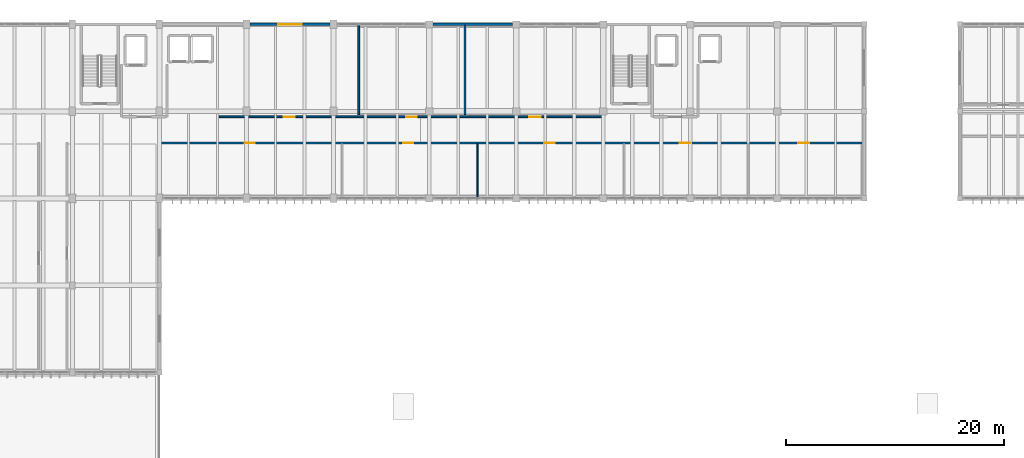
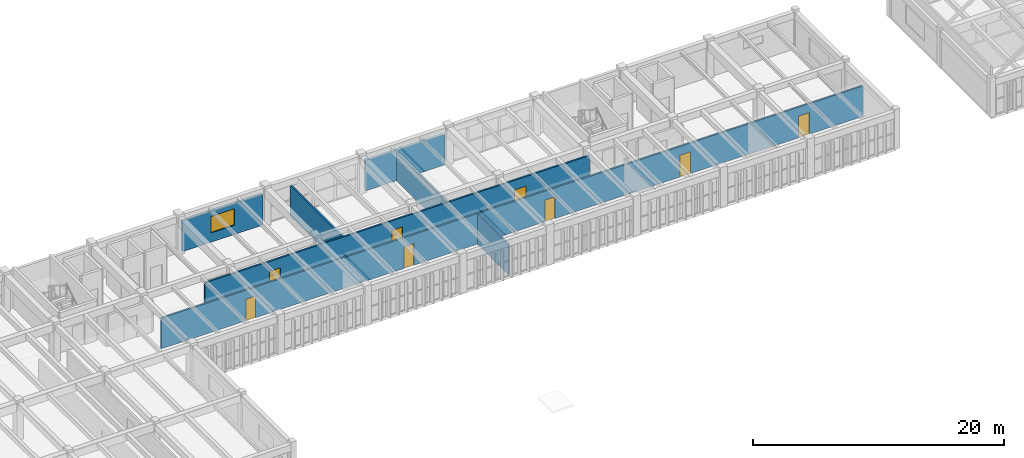
# One storey, part 20 of 31: 8 doors, 7 walls, 1 window, 9 openings.
"""IFC4 building model written with IfcOpenShell, lengths in metres."""

from ifc_helpers import new_model, si_unit, direction, frame, frame_2d, origin, place, context, subcontext, project, spatial, rectangle, extrude, material, layer, layer_set, type_object, element, fill, save


model = new_model("IFC4")

# Units and contexts
model_context = context("Model", 3, precision=1e-05, world=origin(), true_north=direction((0.0, 1.0)))
body_context = subcontext(model_context, "Body", "Model", "MODEL_VIEW")
ifc_project = project(units=[si_unit("LENGTHUNIT", "METRE"), si_unit("AREAUNIT", "SQUARE_METRE"), si_unit("VOLUMEUNIT", "CUBIC_METRE"), si_unit("PLANEANGLEUNIT", "RADIAN"), si_unit("MASSUNIT", "GRAM", prefix="KILO")], contexts=[model_context])

# Site, building, storey
site_placement = place(None, origin())
site = spatial("IfcSite", under=ifc_project, at=site_placement, CompositionType="ELEMENT")
building_placement = place(site_placement, origin())
building = spatial("IfcBuilding", under=site, at=building_placement, Name="Tlaxcora Railside Police Headquarters", CompositionType="ELEMENT")
storey_placement = place(building_placement, frame((0.0, 0.0, 18.0)))
storey = spatial("IfcBuildingStorey", under=building, at=storey_placement, Name="L04", CompositionType="ELEMENT", Elevation=18.0)

# Wall
ifc_material_1 = material(Name="Gypsum acoustic partition board")
ifc_layer_1 = layer(ifc_material_1, 0.1298828125, Name="Gypsum acoustic partition board")
ifc_layer_set_1 = layer_set([ifc_layer_1], Name="Gypsum acoustic partition board")
wall_type_1 = type_object("IfcWallType", Name="Interior Partition Wall IW-40", PredefinedType="PARTITIONING", material=ifc_layer_set_1)
wall_1_placement = place(storey_placement, frame((58.43896484375, 76.8798828125, 0.0), z_axis=(0.0, 0.0, 1.0), x_axis=(0.0, 1.0, 0.0)))
element("IfcWall", 1, at=wall_1_placement, inside=storey, type_object=wall_type_1, Name="V5 L04 interior partition 212", PredefinedType="PARTITIONING", context=body_context, shape_type="SweptSolid", body=[
    extrude(rectangle(XDim=4.920166015625, YDim=0.1298828125, at=frame_2d((2.4599609375, 0.0))), origin(), (0.0, 0.0, 1.0), 2.97509765625),
])

# Wall, openings, doors
ifc_layer_2 = layer(ifc_material_1, 0.159912109375, Name="Gypsum acoustic partition board")
ifc_layer_set_2 = layer_set([ifc_layer_2], Name="Gypsum acoustic partition board")
wall_type_2 = type_object("IfcWallType", Name="Interior Partition Wall IW-73", PredefinedType="PARTITIONING", material=ifc_layer_set_2)
wall_2_placement = place(storey_placement, frame((29.300048828125, 81.89990234375, 0.0), z_axis=(0.0, 0.0, 1.0), x_axis=(1.0, 0.0, 0.0)))
wall_2 = element("IfcWall", 2, at=wall_2_placement, inside=storey, type_object=wall_type_2, Name="V5 L04 interior partition 215", PredefinedType="PARTITIONING", context=body_context, shape_type="SweptSolid", body=[
    extrude(rectangle(XDim=64.619873046875, YDim=0.159912109375, at=frame_2d((32.31005859375, 0.0))), origin(), (0.0, 0.0, 1.0), 2.97509765625),
])
opening_1_placement = place(wall_2_placement, frame((7.760009765625, 0.0, 0.0)))
opening_1 = element("IfcOpeningElement", 3, at=opening_1_placement, cuts=wall_2, Name="Opening D-L04-235", PredefinedType="OPENING", context=body_context, shape_type="SweptSolid", body=[
    extrude(rectangle(XDim=0.89990234375, YDim=2.10009765625, at=frame_2d((0.449951171875, 1.050048828125))), frame((0.0, 0.08984375, 0.0), z_axis=(0.0, -1.0, 0.0), x_axis=(1.0, 0.0, 0.0)), (0.0, 0.0, 1.0), 0.179931640625),
])
opening_2_placement = place(wall_2_placement, frame((22.320068359375, 0.0, 0.0)))
opening_2 = element("IfcOpeningElement", 4, at=opening_2_placement, cuts=wall_2, Name="Opening D-L04-236", PredefinedType="OPENING", context=body_context, shape_type="SweptSolid", body=[
    extrude(rectangle(XDim=0.919921875, YDim=2.10009765625, at=frame_2d((0.4599609375, 1.050048828125))), frame((0.0, 0.08984375, 0.0), z_axis=(0.0, -1.0, 0.0), x_axis=(1.0, 0.0, 0.0)), (0.0, 0.0, 1.0), 0.179931640625),
])
opening_3_placement = place(wall_2_placement, frame((35.280029296875, 0.0, 0.0)))
opening_3 = element("IfcOpeningElement", 5, at=opening_3_placement, cuts=wall_2, Name="Opening D-L04-237", PredefinedType="OPENING", context=body_context, shape_type="SweptSolid", body=[
    extrude(rectangle(XDim=0.949951171875, YDim=2.10009765625, at=frame_2d((0.47509765625, 1.050048828125))), frame((0.0, 0.08984375, 0.0), z_axis=(0.0, -1.0, 0.0), x_axis=(1.0, 0.0, 0.0)), (0.0, 0.0, 1.0), 0.179931640625),
])
opening_4_placement = place(wall_2_placement, frame((47.72998046875, 0.0, 0.0)))
opening_4 = element("IfcOpeningElement", 6, at=opening_4_placement, cuts=wall_2, Name="Opening D-L04-238", PredefinedType="OPENING", context=body_context, shape_type="SweptSolid", body=[
    extrude(rectangle(XDim=0.97998046875, YDim=2.1201171875, at=frame_2d((0.489990234375, 1.06005859375))), frame((0.0, 0.08984375, 0.0), z_axis=(0.0, -1.0, 0.0), x_axis=(1.0, 0.0, 0.0)), (0.0, 0.0, 1.0), 0.179931640625),
])
opening_5_placement = place(wall_2_placement, frame((58.64990234375, 0.0, 0.0)))
opening_5 = element("IfcOpeningElement", 7, at=opening_5_placement, cuts=wall_2, Name="Opening D-L04-239", PredefinedType="OPENING", context=body_context, shape_type="SweptSolid", body=[
    extrude(rectangle(XDim=1.0, YDim=2.10009765625, at=frame_2d((0.5, 1.050048828125))), frame((0.0, 0.08984375, 0.0), z_axis=(0.0, -1.0, 0.0), x_axis=(1.0, 0.0, 0.0)), (0.0, 0.0, 1.0), 0.179931640625),
])
ifc_material_2 = material(Name="Steel ASTM A992 Grade 50", Category="steel")
door_type_1 = type_object("IfcDoorType", Name="Swing or Sliding Personnel Door ID-33", OperationType="NOTDEFINED", PredefinedType="DOOR", material=ifc_material_2)
door_1_placement = place(opening_1_placement, origin())
door_1 = element("IfcDoor", 8, at=door_1_placement, inside=storey, type_object=door_type_1, Name="V5 L04 door D-L04-235", OperationType="SINGLE_SWING_RIGHT", OverallHeight=2.10009765625, OverallWidth=0.89990234375, PredefinedType="DOOR", context=body_context, shape_type="SweptSolid", body=[
    extrude(rectangle(XDim=0.89990234375, YDim=2.10009765625, at=frame_2d((0.449951171875, 1.050048828125))), frame((0.0, 0.02490234375, 0.0), z_axis=(0.0, -1.0, 0.0), x_axis=(1.0, 0.0, 0.0)), (0.0, 0.0, 1.0), 0.050048828125),
])
fill(opening_1, door_1)
door_type_2 = type_object("IfcDoorType", Name="Swing or Sliding Personnel Door ID-49", OperationType="NOTDEFINED", PredefinedType="DOOR", material=ifc_material_2)
door_2_placement = place(opening_2_placement, origin())
door_2 = element("IfcDoor", 9, at=door_2_placement, inside=storey, type_object=door_type_2, Name="V5 L04 door D-L04-236", OperationType="SINGLE_SWING_LEFT", OverallHeight=2.10009765625, OverallWidth=0.919921875, PredefinedType="DOOR", context=body_context, shape_type="SweptSolid", body=[
    extrude(rectangle(XDim=0.919921875, YDim=2.10009765625, at=frame_2d((0.4599609375, 1.050048828125))), frame((0.0, 0.02490234375, 0.0), z_axis=(0.0, -1.0, 0.0), x_axis=(1.0, 0.0, 0.0)), (0.0, 0.0, 1.0), 0.050048828125),
])
fill(opening_2, door_2)
door_type_3 = type_object("IfcDoorType", Name="Swing or Sliding Personnel Door ID-74", OperationType="NOTDEFINED", PredefinedType="DOOR", material=ifc_material_2)
door_3_placement = place(opening_4_placement, origin())
door_3 = element("IfcDoor", 10, at=door_3_placement, inside=storey, type_object=door_type_3, Name="V5 L04 door D-L04-238", OperationType="SINGLE_SWING_LEFT", OverallHeight=2.1201171875, OverallWidth=0.97998046875, PredefinedType="DOOR", context=body_context, shape_type="SweptSolid", body=[
    extrude(rectangle(XDim=0.97998046875, YDim=2.1201171875, at=frame_2d((0.489990234375, 1.06005859375))), frame((0.0, 0.02490234375, 0.0), z_axis=(0.0, -1.0, 0.0), x_axis=(1.0, 0.0, 0.0)), (0.0, 0.0, 1.0), 0.050048828125),
])
fill(opening_4, door_3)
door_type_4 = type_object("IfcDoorType", Name="Swing or Sliding Personnel Door ID-87", OperationType="NOTDEFINED", PredefinedType="DOOR", material=ifc_material_2)
door_4_placement = place(opening_3_placement, origin())
door_4 = element("IfcDoor", 11, at=door_4_placement, inside=storey, type_object=door_type_4, Name="V5 L04 door D-L04-237", OperationType="SINGLE_SWING_RIGHT", OverallHeight=2.10009765625, OverallWidth=0.949951171875, PredefinedType="DOOR", context=body_context, shape_type="SweptSolid", body=[
    extrude(rectangle(XDim=0.949951171875, YDim=2.10009765625, at=frame_2d((0.47509765625, 1.050048828125))), frame((0.0, 0.02490234375, 0.0), z_axis=(0.0, -1.0, 0.0), x_axis=(1.0, 0.0, 0.0)), (0.0, 0.0, 1.0), 0.050048828125),
])
fill(opening_3, door_4)
door_type_5 = type_object("IfcDoorType", Name="Swing or Sliding Personnel Door ID-89", OperationType="NOTDEFINED", PredefinedType="DOOR", material=ifc_material_2)
door_5_placement = place(opening_5_placement, origin())
door_5 = element("IfcDoor", 12, at=door_5_placement, inside=storey, type_object=door_type_5, Name="V5 L04 door D-L04-239", OperationType="SINGLE_SWING_RIGHT", OverallHeight=2.10009765625, OverallWidth=1.0, PredefinedType="DOOR", context=body_context, shape_type="SweptSolid", body=[
    extrude(rectangle(XDim=1.0, YDim=2.10009765625, at=frame_2d((0.5, 1.050048828125))), frame((0.0, 0.02490234375, 0.0), z_axis=(0.0, -1.0, 0.0), x_axis=(1.0, 0.0, 0.0)), (0.0, 0.0, 1.0), 0.050048828125),
])
fill(opening_5, door_5)

# Walls
wall_3_placement = place(storey_placement, frame((47.510986328125, 84.5, 0.0), z_axis=(0.0, 0.0, 1.0), x_axis=(0.0, 1.0, 0.0)))
element("IfcWall", 13, at=wall_3_placement, inside=storey, type_object=wall_type_2, Name="V5 L04 interior partition 216", PredefinedType="PARTITIONING", context=body_context, shape_type="SweptSolid", body=[
    extrude(rectangle(XDim=8.219970703125, YDim=0.159912109375, at=frame_2d((4.10986328125, 0.0))), origin(), (0.0, 0.0, 1.0), 2.97509765625),
])
wall_4_placement = place(storey_placement, frame((57.2890625, 84.5, 0.0), z_axis=(0.0, 0.0, 1.0), x_axis=(0.0, 1.0, 0.0)))
element("IfcWall", 14, at=wall_4_placement, inside=storey, type_object=wall_type_2, Name="V5 L04 interior partition 217", PredefinedType="PARTITIONING", context=body_context, shape_type="SweptSolid", body=[
    extrude(rectangle(XDim=8.219970703125, YDim=0.159912109375, at=frame_2d((4.10986328125, 0.0))), origin(), (0.0, 0.0, 1.0), 2.77490234375),
])

# Wall, openings, doors
wall_5_placement = place(storey_placement, frame((34.699951171875, 84.300048828125, 0.0), z_axis=(0.0, 0.0, 1.0), x_axis=(1.0, 0.0, 0.0)))
wall_5 = element("IfcWall", 15, at=wall_5_placement, inside=storey, type_object=wall_type_2, Name="V5 L04 interior partition 218", PredefinedType="PARTITIONING", context=body_context, shape_type="SweptSolid", body=[
    extrude(rectangle(XDim=35.400146484375, YDim=0.159912109375, at=frame_2d((17.7001953125, 0.0))), origin(), (0.0, 0.0, 1.0), 3.074951171875),
])
opening_6_placement = place(wall_5_placement, frame((5.919921875, 0.0, 0.0)))
opening_6 = element("IfcOpeningElement", 16, at=opening_6_placement, cuts=wall_5, Name="Opening D-L04-240", PredefinedType="OPENING", context=body_context, shape_type="SweptSolid", body=[
    extrude(rectangle(XDim=1.02001953125, YDim=2.1201171875, at=frame_2d((0.510009765625, 1.06005859375))), frame((0.0, 0.08984375, 0.0), z_axis=(0.0, -1.0, 0.0), x_axis=(1.0, 0.0, 0.0)), (0.0, 0.0, 1.0), 0.179931640625),
])
opening_7_placement = place(wall_5_placement, frame((17.199951171875, 0.0, 0.0)))
opening_7 = element("IfcOpeningElement", 17, at=opening_7_placement, cuts=wall_5, Name="Opening D-L04-241", PredefinedType="OPENING", context=body_context, shape_type="SweptSolid", body=[
    extrude(rectangle(XDim=0.949951171875, YDim=2.14990234375, at=frame_2d((0.47509765625, 1.074951171875))), frame((0.0, 0.08984375, 0.0), z_axis=(0.0, -1.0, 0.0), x_axis=(1.0, 0.0, 0.0)), (0.0, 0.0, 1.0), 0.179931640625),
])
opening_8_placement = place(wall_5_placement, frame((28.47998046875, 0.0, 0.0)))
opening_8 = element("IfcOpeningElement", 18, at=opening_8_placement, cuts=wall_5, Name="Opening D-L04-242", PredefinedType="OPENING", context=body_context, shape_type="SweptSolid", body=[
    extrude(rectangle(XDim=1.080078125, YDim=2.139892578125, at=frame_2d((0.5400390625, 1.06982421875))), frame((0.0, 0.08984375, 0.0), z_axis=(0.0, -1.0, 0.0), x_axis=(1.0, 0.0, 0.0)), (0.0, 0.0, 1.0), 0.179931640625),
])
door_type_6 = type_object("IfcDoorType", Name="Swing or Sliding Personnel Door ID-20", OperationType="NOTDEFINED", PredefinedType="DOOR", material=ifc_material_2)
door_6_placement = place(opening_8_placement, origin())
door_6 = element("IfcDoor", 19, at=door_6_placement, inside=storey, type_object=door_type_6, Name="V5 L04 door D-L04-242", OperationType="SINGLE_SWING_LEFT", OverallHeight=2.139892578125, OverallWidth=1.080078125, PredefinedType="DOOR", context=body_context, shape_type="SweptSolid", body=[
    extrude(rectangle(XDim=1.080078125, YDim=2.139892578125, at=frame_2d((0.5400390625, 1.06982421875))), frame((0.0, 0.02490234375, 0.0), z_axis=(0.0, -1.0, 0.0), x_axis=(1.0, 0.0, 0.0)), (0.0, 0.0, 1.0), 0.050048828125),
])
fill(opening_8, door_6)
door_type_7 = type_object("IfcDoorType", Name="Swing or Sliding Personnel Door ID-31", OperationType="NOTDEFINED", PredefinedType="DOOR", material=ifc_material_2)
door_7_placement = place(opening_7_placement, origin())
door_7 = element("IfcDoor", 20, at=door_7_placement, inside=storey, type_object=door_type_7, Name="V5 L04 door D-L04-241", OperationType="SINGLE_SWING_RIGHT", OverallHeight=2.14990234375, OverallWidth=0.949951171875, PredefinedType="DOOR", context=body_context, shape_type="SweptSolid", body=[
    extrude(rectangle(XDim=0.949951171875, YDim=2.14990234375, at=frame_2d((0.47509765625, 1.074951171875))), frame((0.0, 0.02490234375, 0.0), z_axis=(0.0, -1.0, 0.0), x_axis=(1.0, 0.0, 0.0)), (0.0, 0.0, 1.0), 0.050048828125),
])
fill(opening_7, door_7)
door_type_8 = type_object("IfcDoorType", Name="Swing or Sliding Personnel Door ID-48", OperationType="NOTDEFINED", PredefinedType="DOOR", material=ifc_material_2)
door_8_placement = place(opening_6_placement, origin())
door_8 = element("IfcDoor", 21, at=door_8_placement, inside=storey, type_object=door_type_8, Name="V5 L04 door D-L04-240", OperationType="SINGLE_SWING_LEFT", OverallHeight=2.1201171875, OverallWidth=1.02001953125, PredefinedType="DOOR", context=body_context, shape_type="SweptSolid", body=[
    extrude(rectangle(XDim=1.02001953125, YDim=2.1201171875, at=frame_2d((0.510009765625, 1.06005859375))), frame((0.0, 0.02490234375, 0.0), z_axis=(0.0, -1.0, 0.0), x_axis=(1.0, 0.0, 0.0)), (0.0, 0.0, 1.0), 0.050048828125),
])
fill(opening_6, door_8)

# Wall
ifc_material_3 = material(Name="Precast concrete C40/50", Category="concrete")
ifc_layer_3 = layer(ifc_material_3, 0.2451171875, Name="Precast concrete C40/50")
ifc_layer_set_3 = layer_set([ifc_layer_3], Name="Precast concrete C40/50")
wall_type_3 = type_object("IfcWallType", Name="Structural Bearing Wall EW-94", PredefinedType="SOLIDWALL", material=ifc_layer_set_3)
wall_6_placement = place(storey_placement, frame((61.675048828125, 92.800048828125, 0.0), z_axis=(0.0, 0.0, 1.0), x_axis=(-1.0, 0.0, 0.0)))
element("IfcWall", 22, at=wall_6_placement, inside=storey, type_object=wall_type_3, Name="V5 L04 exterior wall 4.4", PredefinedType="SOLIDWALL", context=body_context, shape_type="SweptSolid", body=[
    extrude(rectangle(XDim=7.35009765625, YDim=0.2451171875, at=frame_2d((3.675048828125, 0.0))), origin(), (0.0, 0.0, 1.0), 2.989990234375),
])

# Wall, opening, window
wall_7_placement = place(storey_placement, frame((44.89990234375, 92.800048828125, 0.0), z_axis=(0.0, 0.0, 1.0), x_axis=(-1.0, 0.0, 0.0)))
wall_7 = element("IfcWall", 23, at=wall_7_placement, inside=storey, type_object=wall_type_3, Name="V5 L04 exterior wall 4.6", PredefinedType="SOLIDWALL", context=body_context, shape_type="SweptSolid", body=[
    extrude(rectangle(XDim=7.39990234375, YDim=0.2451171875, at=frame_2d((3.699951171875, 0.0))), origin(), (0.0, 0.0, 1.0), 2.989990234375),
])
opening_9_placement = place(wall_7_placement, frame((2.60009765625, 0.0, 0.89990234375)))
opening_9 = element("IfcOpeningElement", 24, at=opening_9_placement, cuts=wall_7, Name="Opening WN-57", PredefinedType="OPENING", context=body_context, shape_type="SweptSolid", body=[
    extrude(rectangle(XDim=2.199951171875, YDim=1.60009765625, at=frame_2d((1.10009765625, 0.800048828125))), frame((0.0, 0.132568359375, 0.0), z_axis=(0.0, -1.0, 0.0), x_axis=(1.0, 0.0, 0.0)), (0.0, 0.0, 1.0), 0.26513671875),
])
ifc_material_4 = material(Name="Thermally broken low-E insulated glazing", Category="glass")
window_type = type_object("IfcWindowType", Name="Exterior Framed or Circular Window WN-57", PartitioningType="SINGLE_PANEL", PredefinedType="WINDOW", material=ifc_material_4)
window_placement = place(opening_9_placement, origin())
window = element("IfcWindow", 25, at=window_placement, inside=storey, type_object=window_type, Name="V5 L04 window 142", OverallHeight=1.60009765625, OverallWidth=2.199951171875, PartitioningType="SINGLE_PANEL", PredefinedType="WINDOW", context=body_context, shape_type="SweptSolid", body=[
    extrude(rectangle(XDim=2.199951171875, YDim=1.60009765625, at=frame_2d((1.10009765625, 0.800048828125))), frame((0.0, 0.030029296875, 0.0), z_axis=(0.0, -1.0, 0.0), x_axis=(1.0, 0.0, 0.0)), (0.0, 0.0, 1.0), 0.06005859375),
])
fill(opening_9, window)

save(model, "model.ifc")
